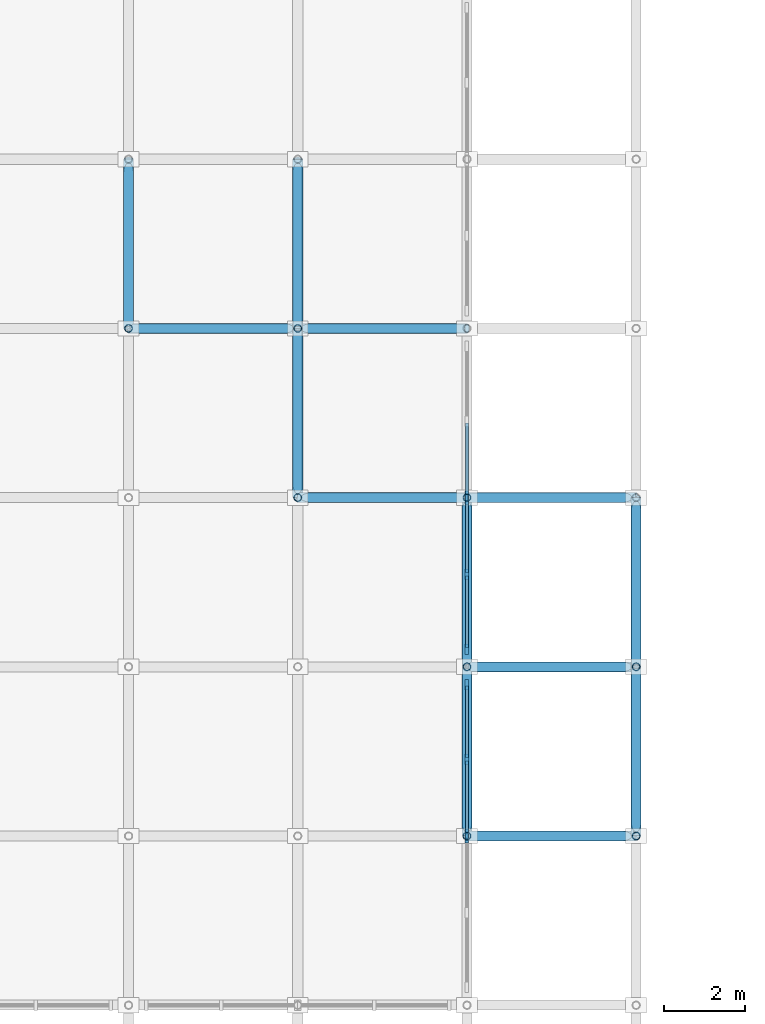
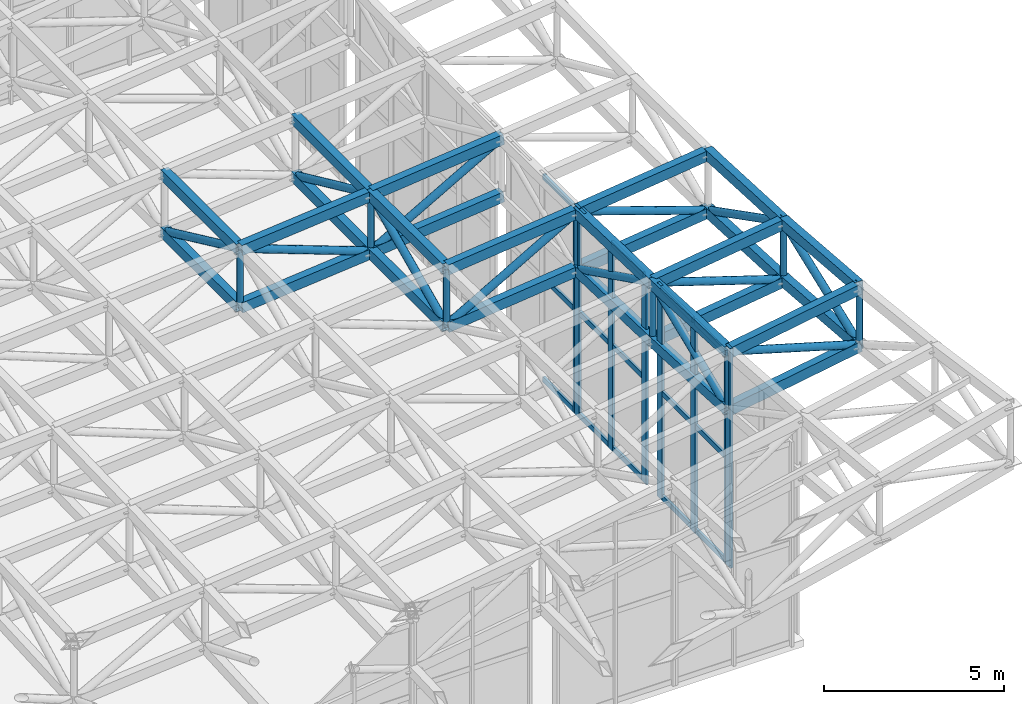
# One storey, part 49 of 111: 70 members, 4 elements without a shape of their own.
"""IFC4 building model written with IfcOpenShell, lengths in metres."""

from ifc_helpers import new_model, si_unit, direction, frame, origin, origin_2d, place, context, subcontext, project, spatial, rectangle, hollow_rectangle, hollow_circle, extrude, material, material_profile, profile_set, type_object, element, aggregate, save


model = new_model("IFC4")

# Units and contexts
model_context = context("Model", 3, precision=1e-05, world=origin(), true_north=direction((0.0, 1.0)))
body_context = subcontext(model_context, "Body", "Model", "MODEL_VIEW")
ifc_project = project(units=[si_unit("LENGTHUNIT", "METRE"), si_unit("AREAUNIT", "SQUARE_METRE"), si_unit("VOLUMEUNIT", "CUBIC_METRE"), si_unit("PLANEANGLEUNIT", "RADIAN"), si_unit("MASSUNIT", "GRAM", prefix="KILO")], contexts=[model_context])

# Site, building, storey
site_placement = place(None, origin())
site = spatial("IfcSite", under=ifc_project, at=site_placement, CompositionType="ELEMENT")
building_placement = place(site_placement, origin())
building = spatial("IfcBuilding", under=site, at=building_placement, Name="Cumbredor Promenade Congress Hotel", CompositionType="ELEMENT")
storey_placement = place(building_placement, frame((0.0, 0.0, 15.1201171875)))
storey = spatial("IfcBuildingStorey", under=building, at=storey_placement, Name="L04", CompositionType="ELEMENT", Elevation=15.1201171875)

# Curtain wall, member
ifc_material_1 = material(Name="Thermally broken anodized aluminium and low-E glass", Category="aluminium")
curtain_wall_type = type_object("IfcCurtainWallType", Name="Stepped Pavilion Clerestory Curtain Wall CW-06", PredefinedType="NOTDEFINED", material=ifc_material_1)
curtain_wall_1_placement = place(storey_placement, origin())
curtain_wall_1 = element("IfcCurtainWall", 1, at=curtain_wall_1_placement, inside=storey, type_object=curtain_wall_type, Name="Pre-Function and Breakout Meeting Forum E Glazed Clerestory 1", PredefinedType="NOTDEFINED")
ifc_material_2 = material(Name="Thermally broken anodized aluminium", Category="aluminium")
ifc_material_profile_1 = material_profile(ifc_material_2, rectangle(XDim=0.0849609375, YDim=0.260009765625, at=origin_2d()), Name="ALU MULLION CLERESTORY 85x260")
ifc_profile_set_1 = profile_set([ifc_material_profile_1], Name="Thermally broken anodized aluminium")
member_type_1 = type_object("IfcMemberType", Name="Curtain Wall Mullion ML-04", PredefinedType="MULLION", material=ifc_profile_set_1)
member_1_placement = place(storey_placement, frame((176.39990234375, 88.159912109375, -0.01806640625), z_axis=(0.0, 0.0, 1.0), x_axis=(1.0, 0.0, 0.0)))
member_1 = element("IfcMember", 2, at=member_1_placement, type_object=member_type_1, Name="Pre-Function and Breakout Meeting Forum E Glazed Clerestory 1 Mullion 3", PredefinedType="MULLION", context=body_context, shape_type="SweptSolid", body=[
    extrude(rectangle(XDim=0.0849609375, YDim=0.260009765625, at=origin_2d()), origin(), (0.0, 0.0, 1.0), 7.4609375),
])
aggregate(curtain_wall_1, [member_1])

# Curtain wall, members
curtain_wall_2_placement = place(storey_placement, origin())
curtain_wall_2 = element("IfcCurtainWall", 3, at=curtain_wall_2_placement, inside=storey, type_object=curtain_wall_type, Name="Pre-Function and Breakout Meeting Forum E Glazed Clerestory 2", PredefinedType="NOTDEFINED")
member_2_placement = place(storey_placement, frame((176.39990234375, 88.239990234375, -0.01806640625), z_axis=(0.0, 0.0, 1.0), x_axis=(1.0, 0.0, 0.0)))
member_2 = element("IfcMember", 4, at=member_2_placement, type_object=member_type_1, Name="Pre-Function and Breakout Meeting Forum E Glazed Clerestory 2 Mullion 1", PredefinedType="MULLION", context=body_context, shape_type="SweptSolid", body=[
    extrude(rectangle(XDim=0.0849609375, YDim=0.260009765625, at=origin_2d()), origin(), (0.0, 0.0, 1.0), 7.248046875),
])
member_3_placement = place(storey_placement, frame((176.39990234375, 90.10009765625, -0.01806640625), z_axis=(0.0, 0.0, 1.0), x_axis=(1.0, 0.0, 0.0)))
member_3 = element("IfcMember", 5, at=member_3_placement, type_object=member_type_1, Name="Pre-Function and Breakout Meeting Forum E Glazed Clerestory 2 Mullion 2", PredefinedType="MULLION", context=body_context, shape_type="SweptSolid", body=[
    extrude(rectangle(XDim=0.0849609375, YDim=0.260009765625, at=origin_2d()), origin(), (0.0, 0.0, 1.0), 7.248046875),
])
member_4_placement = place(storey_placement, frame((176.39990234375, 91.9599609375, -0.01806640625), z_axis=(0.0, 0.0, 1.0), x_axis=(1.0, 0.0, 0.0)))
member_4 = element("IfcMember", 6, at=member_4_placement, type_object=member_type_1, Name="Pre-Function and Breakout Meeting Forum E Glazed Clerestory 2 Mullion 3", PredefinedType="MULLION", context=body_context, shape_type="SweptSolid", body=[
    extrude(rectangle(XDim=0.0849609375, YDim=0.260009765625, at=origin_2d()), origin(), (0.0, 0.0, 1.0), 7.248046875),
])

curtain_wall_3_placement = place(storey_placement, origin())
curtain_wall_3 = element("IfcCurtainWall", 7, at=curtain_wall_3_placement, inside=storey, type_object=curtain_wall_type, Name="Pre-Function and Breakout Meeting Forum E Glazed Clerestory 3", PredefinedType="NOTDEFINED")
member_5_placement = place(storey_placement, frame((176.39990234375, 92.840087890625, -0.01806640625), z_axis=(0.0, 0.0, 1.0), x_axis=(1.0, 0.0, 0.0)))
member_5 = element("IfcMember", 8, at=member_5_placement, type_object=member_type_1, Name="Pre-Function and Breakout Meeting Forum E Glazed Clerestory 3 Mullion 1", PredefinedType="MULLION", context=body_context, shape_type="SweptSolid", body=[
    extrude(rectangle(XDim=0.0849609375, YDim=0.260009765625, at=origin_2d()), origin(), (0.0, 0.0, 1.0), 7.12060546875),
])
member_6_placement = place(storey_placement, frame((176.39990234375, 94.699951171875, -0.01806640625), z_axis=(0.0, 0.0, 1.0), x_axis=(1.0, 0.0, 0.0)))
member_6 = element("IfcMember", 9, at=member_6_placement, type_object=member_type_1, Name="Pre-Function and Breakout Meeting Forum E Glazed Clerestory 3 Mullion 2", PredefinedType="MULLION", context=body_context, shape_type="SweptSolid", body=[
    extrude(rectangle(XDim=0.0849609375, YDim=0.260009765625, at=origin_2d()), origin(), (0.0, 0.0, 1.0), 7.12060546875),
])
member_7_placement = place(storey_placement, frame((176.39990234375, 96.56005859375, -0.01806640625), z_axis=(0.0, 0.0, 1.0), x_axis=(1.0, 0.0, 0.0)))
member_7 = element("IfcMember", 10, at=member_7_placement, type_object=member_type_1, Name="Pre-Function and Breakout Meeting Forum E Glazed Clerestory 3 Mullion 3", PredefinedType="MULLION", context=body_context, shape_type="SweptSolid", body=[
    extrude(rectangle(XDim=0.0849609375, YDim=0.260009765625, at=origin_2d()), origin(), (0.0, 0.0, 1.0), 7.12060546875),
])

# Curtain wall, member
curtain_wall_4_placement = place(storey_placement, origin())
curtain_wall_4 = element("IfcCurtainWall", 11, at=curtain_wall_4_placement, inside=storey, type_object=curtain_wall_type, Name="Pre-Function and Breakout Meeting Forum E Glazed Clerestory 4", PredefinedType="NOTDEFINED")
member_8_placement = place(storey_placement, frame((176.39990234375, 96.639892578125, -0.01806640625), z_axis=(0.0, 0.0, 1.0), x_axis=(1.0, 0.0, 0.0)))
member_8 = element("IfcMember", 12, at=member_8_placement, type_object=member_type_1, Name="Pre-Function and Breakout Meeting Forum E Glazed Clerestory 4 Mullion 1", PredefinedType="MULLION", context=body_context, shape_type="SweptSolid", body=[
    extrude(rectangle(XDim=0.0849609375, YDim=0.260009765625, at=origin_2d()), origin(), (0.0, 0.0, 1.0), 7.078125),
])

# Member
ifc_material_profile_2 = material_profile(ifc_material_2, rectangle(XDim=0.080078125, YDim=0.179931640625, at=origin_2d()), Name="ALU TRANSOM 80x180")
ifc_profile_set_2 = profile_set([ifc_material_profile_2], Name="Thermally broken anodized aluminium")
member_type_2 = type_object("IfcMemberType", Name="Curtain Wall Transom TR-03", PredefinedType="USERDEFINED", material=ifc_profile_set_2)
member_9_placement = place(storey_placement, frame((176.39990234375, 88.282470703125, 0.079833984375), z_axis=(0.0, 1.0, 0.0), x_axis=(-1.0, 0.0, 0.0)))
member_9 = element("IfcMember", 13, at=member_9_placement, type_object=member_type_2, Name="Pre-Function and Breakout Meeting Forum E Glazed Clerestory 2 Transom 1.1", ObjectType="TRANSOM", PredefinedType="USERDEFINED", context=body_context, shape_type="SweptSolid", body=[
    extrude(rectangle(XDim=0.080078125, YDim=0.179931640625, at=origin_2d()), origin(), (0.0, 0.0, 1.0), 1.775146484375),
])

member_10_placement = place(storey_placement, frame((176.39990234375, 88.282470703125, 3.60986328125), z_axis=(0.0, 1.0, 0.0), x_axis=(-1.0, 0.0, 0.0)))
member_10 = element("IfcMember", 14, at=member_10_placement, type_object=member_type_2, Name="Pre-Function and Breakout Meeting Forum E Glazed Clerestory 2 Transom 1.2", ObjectType="TRANSOM", PredefinedType="USERDEFINED", context=body_context, shape_type="SweptSolid", body=[
    extrude(rectangle(XDim=0.080078125, YDim=0.179931640625, at=origin_2d()), origin(), (0.0, 0.0, 1.0), 1.775146484375),
])

member_11_placement = place(storey_placement, frame((176.39990234375, 88.282470703125, 7.1298828125), z_axis=(0.0, 1.0, 0.0), x_axis=(-1.0, 0.0, 0.0)))
member_11 = element("IfcMember", 15, at=member_11_placement, type_object=member_type_2, Name="Pre-Function and Breakout Meeting Forum E Glazed Clerestory 2 Transom 1.3", ObjectType="TRANSOM", PredefinedType="USERDEFINED", context=body_context, shape_type="SweptSolid", body=[
    extrude(rectangle(XDim=0.080078125, YDim=0.179931640625, at=origin_2d()), origin(), (0.0, 0.0, 1.0), 1.775146484375),
])

member_12_placement = place(storey_placement, frame((176.39990234375, 90.142578125, 0.079833984375), z_axis=(0.0, 1.0, 0.0), x_axis=(-1.0, 0.0, 0.0)))
member_12 = element("IfcMember", 16, at=member_12_placement, type_object=member_type_2, Name="Pre-Function and Breakout Meeting Forum E Glazed Clerestory 2 Transom 2.1", ObjectType="TRANSOM", PredefinedType="USERDEFINED", context=body_context, shape_type="SweptSolid", body=[
    extrude(rectangle(XDim=0.080078125, YDim=0.179931640625, at=origin_2d()), origin(), (0.0, 0.0, 1.0), 1.77490234375),
])

member_13_placement = place(storey_placement, frame((176.39990234375, 90.142578125, 3.60986328125), z_axis=(0.0, 1.0, 0.0), x_axis=(-1.0, 0.0, 0.0)))
member_13 = element("IfcMember", 17, at=member_13_placement, type_object=member_type_2, Name="Pre-Function and Breakout Meeting Forum E Glazed Clerestory 2 Transom 2.2", ObjectType="TRANSOM", PredefinedType="USERDEFINED", context=body_context, shape_type="SweptSolid", body=[
    extrude(rectangle(XDim=0.080078125, YDim=0.179931640625, at=origin_2d()), origin(), (0.0, 0.0, 1.0), 1.77490234375),
])

member_14_placement = place(storey_placement, frame((176.39990234375, 90.142578125, 7.1298828125), z_axis=(0.0, 1.0, 0.0), x_axis=(-1.0, 0.0, 0.0)))
member_14 = element("IfcMember", 18, at=member_14_placement, type_object=member_type_2, Name="Pre-Function and Breakout Meeting Forum E Glazed Clerestory 2 Transom 2.3", ObjectType="TRANSOM", PredefinedType="USERDEFINED", context=body_context, shape_type="SweptSolid", body=[
    extrude(rectangle(XDim=0.080078125, YDim=0.179931640625, at=origin_2d()), origin(), (0.0, 0.0, 1.0), 1.77490234375),
])

aggregate(curtain_wall_2, [member_2, member_3, member_4, member_9, member_10, member_11, member_12, member_13, member_14])

member_15_placement = place(storey_placement, frame((176.39990234375, 92.882568359375, 0.079833984375), z_axis=(0.0, 1.0, 0.0), x_axis=(-1.0, 0.0, 0.0)))
member_15 = element("IfcMember", 19, at=member_15_placement, type_object=member_type_2, Name="Pre-Function and Breakout Meeting Forum E Glazed Clerestory 3 Transom 1.1", ObjectType="TRANSOM", PredefinedType="USERDEFINED", context=body_context, shape_type="SweptSolid", body=[
    extrude(rectangle(XDim=0.080078125, YDim=0.179931640625, at=origin_2d()), origin(), (0.0, 0.0, 1.0), 1.77490234375),
])

member_16_placement = place(storey_placement, frame((176.39990234375, 92.882568359375, 3.539794921875), z_axis=(0.0, 1.0, 0.0), x_axis=(-1.0, 0.0, 0.0)))
member_16 = element("IfcMember", 20, at=member_16_placement, type_object=member_type_2, Name="Pre-Function and Breakout Meeting Forum E Glazed Clerestory 3 Transom 1.2", ObjectType="TRANSOM", PredefinedType="USERDEFINED", context=body_context, shape_type="SweptSolid", body=[
    extrude(rectangle(XDim=0.080078125, YDim=0.179931640625, at=origin_2d()), origin(), (0.0, 0.0, 1.0), 1.77490234375),
])

member_17_placement = place(storey_placement, frame((176.39990234375, 92.882568359375, 7.0), z_axis=(0.0, 1.0, 0.0), x_axis=(-1.0, 0.0, 0.0)))
member_17 = element("IfcMember", 21, at=member_17_placement, type_object=member_type_2, Name="Pre-Function and Breakout Meeting Forum E Glazed Clerestory 3 Transom 1.3", ObjectType="TRANSOM", PredefinedType="USERDEFINED", context=body_context, shape_type="SweptSolid", body=[
    extrude(rectangle(XDim=0.080078125, YDim=0.179931640625, at=origin_2d()), origin(), (0.0, 0.0, 1.0), 1.77490234375),
])

member_18_placement = place(storey_placement, frame((176.39990234375, 94.742431640625, 0.079833984375), z_axis=(0.0, 1.0, 0.0), x_axis=(-1.0, 0.0, 0.0)))
member_18 = element("IfcMember", 22, at=member_18_placement, type_object=member_type_2, Name="Pre-Function and Breakout Meeting Forum E Glazed Clerestory 3 Transom 2.1", ObjectType="TRANSOM", PredefinedType="USERDEFINED", context=body_context, shape_type="SweptSolid", body=[
    extrude(rectangle(XDim=0.080078125, YDim=0.179931640625, at=origin_2d()), origin(), (0.0, 0.0, 1.0), 1.775146484375),
])

member_19_placement = place(storey_placement, frame((176.39990234375, 94.742431640625, 3.539794921875), z_axis=(0.0, 1.0, 0.0), x_axis=(-1.0, 0.0, 0.0)))
member_19 = element("IfcMember", 23, at=member_19_placement, type_object=member_type_2, Name="Pre-Function and Breakout Meeting Forum E Glazed Clerestory 3 Transom 2.2", ObjectType="TRANSOM", PredefinedType="USERDEFINED", context=body_context, shape_type="SweptSolid", body=[
    extrude(rectangle(XDim=0.080078125, YDim=0.179931640625, at=origin_2d()), origin(), (0.0, 0.0, 1.0), 1.775146484375),
])

member_20_placement = place(storey_placement, frame((176.39990234375, 94.742431640625, 7.0), z_axis=(0.0, 1.0, 0.0), x_axis=(-1.0, 0.0, 0.0)))
member_20 = element("IfcMember", 24, at=member_20_placement, type_object=member_type_2, Name="Pre-Function and Breakout Meeting Forum E Glazed Clerestory 3 Transom 2.3", ObjectType="TRANSOM", PredefinedType="USERDEFINED", context=body_context, shape_type="SweptSolid", body=[
    extrude(rectangle(XDim=0.080078125, YDim=0.179931640625, at=origin_2d()), origin(), (0.0, 0.0, 1.0), 1.775146484375),
])

aggregate(curtain_wall_3, [member_5, member_6, member_7, member_15, member_16, member_17, member_18, member_19, member_20])

member_21_placement = place(storey_placement, frame((176.39990234375, 96.6826171875, 0.079833984375), z_axis=(0.0, 1.0, 0.0), x_axis=(-1.0, 0.0, 0.0)))
member_21 = element("IfcMember", 25, at=member_21_placement, type_object=member_type_2, Name="Pre-Function and Breakout Meeting Forum E Glazed Clerestory 4 Transom 1.1", ObjectType="TRANSOM", PredefinedType="USERDEFINED", context=body_context, shape_type="SweptSolid", body=[
    extrude(rectangle(XDim=0.080078125, YDim=0.179931640625, at=origin_2d()), origin(), (0.0, 0.0, 1.0), 1.77490234375),
])

member_22_placement = place(storey_placement, frame((176.39990234375, 96.6826171875, 3.519775390625), z_axis=(0.0, 1.0, 0.0), x_axis=(-1.0, 0.0, 0.0)))
member_22 = element("IfcMember", 26, at=member_22_placement, type_object=member_type_2, Name="Pre-Function and Breakout Meeting Forum E Glazed Clerestory 4 Transom 1.2", ObjectType="TRANSOM", PredefinedType="USERDEFINED", context=body_context, shape_type="SweptSolid", body=[
    extrude(rectangle(XDim=0.080078125, YDim=0.179931640625, at=origin_2d()), origin(), (0.0, 0.0, 1.0), 1.77490234375),
])

member_23_placement = place(storey_placement, frame((176.39990234375, 96.6826171875, 6.9599609375), z_axis=(0.0, 1.0, 0.0), x_axis=(-1.0, 0.0, 0.0)))
member_23 = element("IfcMember", 27, at=member_23_placement, type_object=member_type_2, Name="Pre-Function and Breakout Meeting Forum E Glazed Clerestory 4 Transom 1.3", ObjectType="TRANSOM", PredefinedType="USERDEFINED", context=body_context, shape_type="SweptSolid", body=[
    extrude(rectangle(XDim=0.080078125, YDim=0.179931640625, at=origin_2d()), origin(), (0.0, 0.0, 1.0), 1.77490234375),
])

aggregate(curtain_wall_4, [member_8, member_21, member_22, member_23])

# Members
ifc_material_3 = material(Name="Steel ASTM A500 Grade C", Category="steel")
ifc_material_profile_3 = material_profile(ifc_material_3, hollow_rectangle(XDim=0.25, YDim=0.35009765625, WallThickness=0.01611328125, at=origin_2d()), Name="HSS 350x250x16")
ifc_profile_set_3 = profile_set([ifc_material_profile_3], Name="Steel ASTM A500 Grade C")
member_type_3 = type_object("IfcMemberType", Name="Forum Roof Truss Chord", PredefinedType="CHORD", material=ifc_profile_set_3)
for number, where, z_axis, x_axis, name in (
    (28, (176.39990234375, 88.199951171875, 7.241943359375), (0.985937917486, 0.0, 0.16711200694), (0.0, 1.0, 0.0), "Pre-Function and Breakout Meeting Forum X Top Chord 22.3"),
    (29, (176.39990234375, 88.199951171875, 5.2919921875), (0.985947358293, 0.0, 0.167056297921), (0.0, 1.0, 0.0), "Pre-Function and Breakout Meeting Forum X Bottom Chord 22.3"),
):
    element("IfcMember", number, at=place(storey_placement, frame(where, z_axis=z_axis, x_axis=x_axis)), inside=storey, type_object=member_type_3, Name=name, PredefinedType="CHORD", context=body_context, shape_type="SweptSolid", body=[
        extrude(hollow_rectangle(XDim=0.25, YDim=0.35009765625, WallThickness=0.01611328125, at=origin_2d()), origin(), (0.0, 0.0, 1.0), 4.260009765625),
    ])
for number, where, z_axis, x_axis, name in (
    (30, (176.39990234375, 92.39990234375, 7.029052734375), (0.99038564581, 0.0, 0.138333916931), (0.0, 1.0, 0.0), "Pre-Function and Breakout Meeting Forum X Top Chord 22.4"),
    (31, (176.39990234375, 92.39990234375, 5.0791015625), (0.99038564581, 0.0, 0.138333916931), (0.0, 1.0, 0.0), "Pre-Function and Breakout Meeting Forum X Bottom Chord 22.4"),
):
    element("IfcMember", number, at=place(storey_placement, frame(where, z_axis=z_axis, x_axis=x_axis)), inside=storey, type_object=member_type_3, Name=name, PredefinedType="CHORD", context=body_context, shape_type="SweptSolid", body=[
        extrude(hollow_rectangle(XDim=0.25, YDim=0.35009765625, WallThickness=0.01611328125, at=origin_2d()), origin(), (0.0, 0.0, 1.0), 4.240966796875),
    ])
for number, where, z_axis, x_axis, name in (
    (32, (172.199951171875, 96.60009765625, 6.439697265625), (0.994012705385, 0.0, 0.109264548386), (0.0, 1.0, 0.0), "Pre-Function and Breakout Meeting Forum X Top Chord 21.5"),
    (33, (172.199951171875, 96.60009765625, 4.48974609375), (0.994012705385, 0.0, 0.109264548386), (0.0, 1.0, 0.0), "Pre-Function and Breakout Meeting Forum X Bottom Chord 21.5"),
):
    element("IfcMember", number, at=place(storey_placement, frame(where, z_axis=z_axis, x_axis=x_axis)), inside=storey, type_object=member_type_3, Name=name, PredefinedType="CHORD", context=body_context, shape_type="SweptSolid", body=[
        extrude(hollow_rectangle(XDim=0.25, YDim=0.35009765625, WallThickness=0.01611328125, at=origin_2d()), origin(), (0.0, 0.0, 1.0), 4.225341796875),
    ])
for number, where, z_axis, x_axis, name in (
    (34, (176.39990234375, 96.60009765625, 6.9013671875), (0.992667000964, 0.0, 0.120881037376), (0.0, 1.0, 0.0), "Pre-Function and Breakout Meeting Forum X Top Chord 22.5"),
    (35, (176.39990234375, 96.60009765625, 4.951416015625), (0.992667000964, 0.0, 0.120881037376), (0.0, 1.0, 0.0), "Pre-Function and Breakout Meeting Forum X Bottom Chord 22.5"),
):
    element("IfcMember", number, at=place(storey_placement, frame(where, z_axis=z_axis, x_axis=x_axis)), inside=storey, type_object=member_type_3, Name=name, PredefinedType="CHORD", context=body_context, shape_type="SweptSolid", body=[
        extrude(hollow_rectangle(XDim=0.25, YDim=0.35009765625, WallThickness=0.01611328125, at=origin_2d()), origin(), (0.0, 0.0, 1.0), 4.231201171875),
    ])
for number, where, z_axis, x_axis, name in (
    (36, (168.0, 100.800048828125, 6.026611328125), (0.995649172635, 0.0, 0.09318114096), (0.0, 1.0, 0.0), "Pre-Function and Breakout Meeting Forum X Top Chord 20.6"),
    (37, (168.0, 100.800048828125, 4.07666015625), (0.995649172635, 0.0, 0.09318114096), (0.0, 1.0, 0.0), "Pre-Function and Breakout Meeting Forum X Bottom Chord 20.6"),
):
    element("IfcMember", number, at=place(storey_placement, frame(where, z_axis=z_axis, x_axis=x_axis)), inside=storey, type_object=member_type_3, Name=name, PredefinedType="CHORD", context=body_context, shape_type="SweptSolid", body=[
        extrude(hollow_rectangle(XDim=0.25, YDim=0.35009765625, WallThickness=0.01611328125, at=origin_2d()), origin(), (0.0, 0.0, 1.0), 4.21826171875),
    ])
for number, where, z_axis, x_axis, name in (
    (38, (172.199951171875, 100.800048828125, 6.419677734375), (0.994576500093, 0.0, 0.10400762214), (0.0, 1.0, 0.0), "Pre-Function and Breakout Meeting Forum X Top Chord 21.6"),
    (39, (172.199951171875, 100.800048828125, 4.4697265625), (0.994576500093, 0.0, 0.10400762214), (0.0, 1.0, 0.0), "Pre-Function and Breakout Meeting Forum X Bottom Chord 21.6"),
):
    element("IfcMember", number, at=place(storey_placement, frame(where, z_axis=z_axis, x_axis=x_axis)), inside=storey, type_object=member_type_3, Name=name, PredefinedType="CHORD", context=body_context, shape_type="SweptSolid", body=[
        extrude(hollow_rectangle(XDim=0.25, YDim=0.35009765625, WallThickness=0.01611328125, at=origin_2d()), origin(), (0.0, 0.0, 1.0), 4.222900390625),
    ])
for number, where, z_axis, x_axis, name in (
    (40, (168.0, 100.800048828125, 6.026611328125), (0.0, 0.99999999831, -5.8129396e-05), (-1.0, 0.0, 0.0), "Pre-Function and Breakout Meeting Forum Y Top Chord 20.6"),
    (41, (168.0, 100.800048828125, 4.07666015625), (0.0, 0.99999999831, -5.8129396e-05), (-1.0, 0.0, 0.0), "Pre-Function and Breakout Meeting Forum Y Bottom Chord 20.6"),
    (42, (172.199951171875, 96.60009765625, 6.439697265625), (0.0, 0.999988639906, -0.004766556326), (-1.0, 0.0, 0.0), "Pre-Function and Breakout Meeting Forum Y Top Chord 21.5"),
    (43, (172.199951171875, 96.60009765625, 4.48974609375), (0.0, 0.999988639906, -0.004766556326), (-1.0, 0.0, 0.0), "Pre-Function and Breakout Meeting Forum Y Bottom Chord 21.5"),
    (44, (172.199951171875, 100.800048828125, 6.419677734375), (0.0, 0.999988639906, 0.004766556326), (-1.0, 0.0, 0.0), "Pre-Function and Breakout Meeting Forum Y Top Chord 21.6"),
    (45, (172.199951171875, 100.800048828125, 4.4697265625), (0.0, 0.999988639906, 0.004766556326), (-1.0, 0.0, 0.0), "Pre-Function and Breakout Meeting Forum Y Bottom Chord 21.6"),
):
    element("IfcMember", number, at=place(storey_placement, frame(where, z_axis=z_axis, x_axis=x_axis)), inside=storey, type_object=member_type_3, Name=name, PredefinedType="CHORD", context=body_context, shape_type="SweptSolid", body=[
        extrude(hollow_rectangle(XDim=0.25, YDim=0.35009765625, WallThickness=0.01611328125, at=origin_2d()), origin(), (0.0, 0.0, 1.0), 4.199951171875),
    ])
for number, where, z_axis, x_axis, name in (
    (46, (176.39990234375, 88.199951171875, 7.241943359375), (0.0, 0.998717791398, -0.050623839685), (-1.0, 0.0, 0.0), "Pre-Function and Breakout Meeting Forum Y Top Chord 22.3"),
    (47, (176.39990234375, 88.199951171875, 5.2919921875), (0.0, 0.998717791398, -0.050623839685), (-1.0, 0.0, 0.0), "Pre-Function and Breakout Meeting Forum Y Bottom Chord 22.3"),
):
    element("IfcMember", number, at=place(storey_placement, frame(where, z_axis=z_axis, x_axis=x_axis)), inside=storey, type_object=member_type_3, Name=name, PredefinedType="CHORD", context=body_context, shape_type="SweptSolid", body=[
        extrude(hollow_rectangle(XDim=0.25, YDim=0.35009765625, WallThickness=0.01611328125, at=origin_2d()), origin(), (0.0, 0.0, 1.0), 4.205322265625),
    ])
for number, where, z_axis, x_axis, name in (
    (48, (176.39990234375, 92.39990234375, 7.029052734375), (0.0, 0.999538242854, -0.030385869624), (-1.0, 0.0, 0.0), "Pre-Function and Breakout Meeting Forum Y Top Chord 22.4"),
    (49, (176.39990234375, 92.39990234375, 5.0791015625), (0.0, 0.999538242854, -0.030385869624), (-1.0, 0.0, 0.0), "Pre-Function and Breakout Meeting Forum Y Bottom Chord 22.4"),
):
    element("IfcMember", number, at=place(storey_placement, frame(where, z_axis=z_axis, x_axis=x_axis)), inside=storey, type_object=member_type_3, Name=name, PredefinedType="CHORD", context=body_context, shape_type="SweptSolid", body=[
        extrude(hollow_rectangle(XDim=0.25, YDim=0.35009765625, WallThickness=0.01611328125, at=origin_2d()), origin(), (0.0, 0.0, 1.0), 4.2021484375),
    ])
for number, where, z_axis, x_axis, name in (
    (50, (180.60009765625, 88.199951171875, 7.953857421875), (0.0, 0.996774803477, -0.080249555474), (-1.0, 0.0, 0.0), "Pre-Function and Breakout Meeting Forum Y Top Chord 23.3"),
    (51, (180.60009765625, 88.199951171875, 6.003662109375), (0.0, 0.996779436652, -0.0801919863), (-1.0, 0.0, 0.0), "Pre-Function and Breakout Meeting Forum Y Bottom Chord 23.3"),
):
    element("IfcMember", number, at=place(storey_placement, frame(where, z_axis=z_axis, x_axis=x_axis)), inside=storey, type_object=member_type_3, Name=name, PredefinedType="CHORD", context=body_context, shape_type="SweptSolid", body=[
        extrude(hollow_rectangle(XDim=0.25, YDim=0.35009765625, WallThickness=0.01611328125, at=origin_2d()), origin(), (0.0, 0.0, 1.0), 4.213623046875),
    ])
for number, where, z_axis, x_axis, name in (
    (52, (180.60009765625, 92.39990234375, 7.61572265625), (0.0, 0.998835460996, -0.048246469896), (-1.0, 0.0, 0.0), "Pre-Function and Breakout Meeting Forum Y Top Chord 23.4"),
    (53, (180.60009765625, 92.39990234375, 5.665771484375), (0.0, 0.998835460996, -0.048246469896), (-1.0, 0.0, 0.0), "Pre-Function and Breakout Meeting Forum Y Bottom Chord 23.4"),
):
    element("IfcMember", number, at=place(storey_placement, frame(where, z_axis=z_axis, x_axis=x_axis)), inside=storey, type_object=member_type_3, Name=name, PredefinedType="CHORD", context=body_context, shape_type="SweptSolid", body=[
        extrude(hollow_rectangle(XDim=0.25, YDim=0.35009765625, WallThickness=0.01611328125, at=origin_2d()), origin(), (0.0, 0.0, 1.0), 4.205078125),
    ])
ifc_material_profile_4 = material_profile(ifc_material_3, hollow_circle(Radius=0.122314453125, WallThickness=0.012451171875, at=origin_2d()), Name="CHS 244.5x12.5")
ifc_profile_set_4 = profile_set([ifc_material_profile_4], Name="Steel ASTM A500 Grade C")
member_type_4 = type_object("IfcMemberType", Name="Space Frame Web Diagonal D2", PredefinedType="BRACE", material=ifc_profile_set_4)
member_24_placement = place(storey_placement, frame((176.39990234375, 88.199951171875, 7.241943359375), z_axis=(0.959184193671, 0.0, -0.282782040822), x_axis=(0.0, 1.0, 0.0)))
element("IfcMember", 54, at=member_24_placement, inside=storey, type_object=member_type_4, Name="Pre-Function and Breakout Meeting Forum X Web Diagonal 22.3", PredefinedType="BRACE", context=body_context, shape_type="SweptSolid", body=[
    extrude(hollow_circle(Radius=0.122314453125, WallThickness=0.012451171875, at=origin_2d()), origin(), (0.0, 0.0, 1.0), 4.37890625),
])
member_25_placement = place(storey_placement, frame((176.39990234375, 92.39990234375, 7.029052734375), z_axis=(0.951152635401, 0.0, -0.30872101349), x_axis=(0.0, 1.0, 0.0)))
element("IfcMember", 55, at=member_25_placement, inside=storey, type_object=member_type_4, Name="Pre-Function and Breakout Meeting Forum X Web Diagonal 22.4", PredefinedType="BRACE", context=body_context, shape_type="SweptSolid", body=[
    extrude(hollow_circle(Radius=0.122314453125, WallThickness=0.012451171875, at=origin_2d()), origin(), (0.0, 0.0, 1.0), 4.416015625),
])
member_26_placement = place(storey_placement, frame((172.199951171875, 96.60009765625, 4.48974609375), z_axis=(0.867205127141, 0.0, 0.497951069343), x_axis=(0.0, 1.0, 0.0)))
element("IfcMember", 56, at=member_26_placement, inside=storey, type_object=member_type_4, Name="Pre-Function and Breakout Meeting Forum X Web Diagonal 21.5", PredefinedType="BRACE", context=body_context, shape_type="SweptSolid", body=[
    extrude(hollow_circle(Radius=0.122314453125, WallThickness=0.012451171875, at=origin_2d()), origin(), (0.0, 0.0, 1.0), 4.843017578125),
])
member_27_placement = place(storey_placement, frame((176.39990234375, 96.60009765625, 6.9013671875), z_axis=(0.94605579221, 0.0, -0.324003762364), x_axis=(0.0, 1.0, 0.0)))
element("IfcMember", 57, at=member_27_placement, inside=storey, type_object=member_type_4, Name="Pre-Function and Breakout Meeting Forum X Web Diagonal 22.5", PredefinedType="BRACE", context=body_context, shape_type="SweptSolid", body=[
    extrude(hollow_circle(Radius=0.122314453125, WallThickness=0.012451171875, at=origin_2d()), origin(), (0.0, 0.0, 1.0), 4.439697265625),
])
member_28_placement = place(storey_placement, frame((168.0, 100.800048828125, 6.026611328125), z_axis=(0.937650758936, 0.0, -0.347578846116), x_axis=(0.0, 1.0, 0.0)))
element("IfcMember", 58, at=member_28_placement, inside=storey, type_object=member_type_4, Name="Pre-Function and Breakout Meeting Forum X Web Diagonal 20.6", PredefinedType="BRACE", context=body_context, shape_type="SweptSolid", body=[
    extrude(hollow_circle(Radius=0.122314453125, WallThickness=0.012451171875, at=origin_2d()), origin(), (0.0, 0.0, 1.0), 4.479248046875),
])
member_29_placement = place(storey_placement, frame((172.199951171875, 100.800048828125, 4.4697265625), z_axis=(0.869205391529, 0.0, 0.494451198134), x_axis=(0.0, 1.0, 0.0)))
element("IfcMember", 59, at=member_29_placement, inside=storey, type_object=member_type_4, Name="Pre-Function and Breakout Meeting Forum X Web Diagonal 21.6", PredefinedType="BRACE", context=body_context, shape_type="SweptSolid", body=[
    extrude(hollow_circle(Radius=0.122314453125, WallThickness=0.012451171875, at=origin_2d()), origin(), (0.0, 0.0, 1.0), 4.83203125),
])
member_30_placement = place(storey_placement, frame((168.0, 100.800048828125, 6.026611328125), z_axis=(0.0, 0.90699098694, -0.421150032185), x_axis=(-1.0, 0.0, 0.0)))
element("IfcMember", 60, at=member_30_placement, inside=storey, type_object=member_type_4, Name="Pre-Function and Breakout Meeting Forum Y Web Diagonal 20.6", PredefinedType="BRACE", context=body_context, shape_type="SweptSolid", body=[
    extrude(hollow_circle(Radius=0.122314453125, WallThickness=0.012451171875, at=origin_2d()), origin(), (0.0, 0.0, 1.0), 4.630615234375),
])
for number, where, z_axis, x_axis, name in (
    (61, (172.199951171875, 96.60009765625, 4.48974609375), (0.0, 0.908658429434, 0.417540247903), (-1.0, 0.0, 0.0), "Pre-Function and Breakout Meeting Forum Y Web Diagonal 21.5"),
    (62, (172.199951171875, 100.800048828125, 6.419677734375), (0.0, 0.908658429434, -0.417540247903), (-1.0, 0.0, 0.0), "Pre-Function and Breakout Meeting Forum Y Web Diagonal 21.6"),
):
    element("IfcMember", number, at=place(storey_placement, frame(where, z_axis=z_axis, x_axis=x_axis)), inside=storey, type_object=member_type_4, Name=name, PredefinedType="BRACE", context=body_context, shape_type="SweptSolid", body=[
        extrude(hollow_circle(Radius=0.122314453125, WallThickness=0.012451171875, at=origin_2d()), origin(), (0.0, 0.0, 1.0), 4.6220703125),
    ])
member_31_placement = place(storey_placement, frame((176.39990234375, 88.199951171875, 5.2919921875), z_axis=(0.0, 0.924082914306, 0.382192055763), x_axis=(-1.0, 0.0, 0.0)))
element("IfcMember", 63, at=member_31_placement, inside=storey, type_object=member_type_4, Name="Pre-Function and Breakout Meeting Forum Y Web Diagonal 22.3", PredefinedType="BRACE", context=body_context, shape_type="SweptSolid", body=[
    extrude(hollow_circle(Radius=0.122314453125, WallThickness=0.012451171875, at=origin_2d()), origin(), (0.0, 0.0, 1.0), 4.544921875),
])
member_32_placement = place(storey_placement, frame((176.39990234375, 92.39990234375, 7.029052734375), z_axis=(0.0, 0.896336267945, -0.443374891898), x_axis=(-1.0, 0.0, 0.0)))
element("IfcMember", 64, at=member_32_placement, inside=storey, type_object=member_type_4, Name="Pre-Function and Breakout Meeting Forum Y Web Diagonal 22.4", PredefinedType="BRACE", context=body_context, shape_type="SweptSolid", body=[
    extrude(hollow_circle(Radius=0.122314453125, WallThickness=0.012451171875, at=origin_2d()), origin(), (0.0, 0.0, 1.0), 4.68603515625),
])
member_33_placement = place(storey_placement, frame((180.60009765625, 88.199951171875, 6.003662109375), z_axis=(0.0, 0.933591555924, 0.358338955052), x_axis=(-1.0, 0.0, 0.0)))
element("IfcMember", 65, at=member_33_placement, inside=storey, type_object=member_type_4, Name="Pre-Function and Breakout Meeting Forum Y Web Diagonal 23.3", PredefinedType="BRACE", context=body_context, shape_type="SweptSolid", body=[
    extrude(hollow_circle(Radius=0.122314453125, WallThickness=0.012451171875, at=origin_2d()), origin(), (0.0, 0.0, 1.0), 4.498779296875),
])
member_34_placement = place(storey_placement, frame((180.60009765625, 92.39990234375, 7.61572265625), z_axis=(0.0, 0.889913303945, -0.456129709032), x_axis=(-1.0, 0.0, 0.0)))
element("IfcMember", 66, at=member_34_placement, inside=storey, type_object=member_type_4, Name="Pre-Function and Breakout Meeting Forum Y Web Diagonal 23.4", PredefinedType="BRACE", context=body_context, shape_type="SweptSolid", body=[
    extrude(hollow_circle(Radius=0.122314453125, WallThickness=0.012451171875, at=origin_2d()), origin(), (0.0, 0.0, 1.0), 4.7197265625),
])
ifc_material_profile_5 = material_profile(ifc_material_3, hollow_circle(Radius=0.096923828125, WallThickness=0.010009765625, at=origin_2d()), Name="CHS 193.7x10")
ifc_profile_set_5 = profile_set([ifc_material_profile_5], Name="Steel ASTM A500 Grade C")
member_type_5 = type_object("IfcMemberType", Name="Space Frame Web Post P1", PredefinedType="BRACE", material=ifc_profile_set_5)
for number, where, z_axis, x_axis, name in (
    (67, (168.0, 100.800048828125, 4.07666015625), (0.0, 0.0, 1.0), (1.0, 0.0, 0.0), "Pre-Function and Breakout Meeting Forum Space Frame Web Post 20.6"),
    (68, (172.199951171875, 96.60009765625, 4.48974609375), (0.0, 0.0, 1.0), (1.0, 0.0, 0.0), "Pre-Function and Breakout Meeting Forum Space Frame Web Post 21.5"),
    (69, (172.199951171875, 100.800048828125, 4.4697265625), (0.0, 0.0, 1.0), (1.0, 0.0, 0.0), "Pre-Function and Breakout Meeting Forum Space Frame Web Post 21.6"),
    (70, (176.39990234375, 88.199951171875, 5.2919921875), (0.0, 0.0, 1.0), (1.0, 0.0, 0.0), "Pre-Function and Breakout Meeting Forum Space Frame Web Post 22.3"),
    (71, (176.39990234375, 92.39990234375, 5.0791015625), (0.0, 0.0, 1.0), (1.0, 0.0, 0.0), "Pre-Function and Breakout Meeting Forum Space Frame Web Post 22.4"),
    (72, (176.39990234375, 96.60009765625, 4.951416015625), (0.0, 0.0, 1.0), (1.0, 0.0, 0.0), "Pre-Function and Breakout Meeting Forum Space Frame Web Post 22.5"),
):
    element("IfcMember", number, at=place(storey_placement, frame(where, z_axis=z_axis, x_axis=x_axis)), inside=storey, type_object=member_type_5, Name=name, PredefinedType="BRACE", context=body_context, shape_type="SweptSolid", body=[
        extrude(hollow_circle(Radius=0.096923828125, WallThickness=0.010009765625, at=origin_2d()), origin(), (0.0, 0.0, 1.0), 1.949951171875),
    ])
member_35_placement = place(storey_placement, frame((180.60009765625, 88.199951171875, 6.003662109375), z_axis=(0.0, 0.0, 1.0), x_axis=(1.0, 0.0, 0.0)))
element("IfcMember", 73, at=member_35_placement, inside=storey, type_object=member_type_5, Name="Pre-Function and Breakout Meeting Forum Space Frame Web Post 23.3", PredefinedType="BRACE", context=body_context, shape_type="SweptSolid", body=[
    extrude(hollow_circle(Radius=0.096923828125, WallThickness=0.010009765625, at=origin_2d()), origin(), (0.0, 0.0, 1.0), 1.9501953125),
])
member_36_placement = place(storey_placement, frame((180.60009765625, 92.39990234375, 5.665771484375), z_axis=(0.0, 0.0, 1.0), x_axis=(1.0, 0.0, 0.0)))
element("IfcMember", 74, at=member_36_placement, inside=storey, type_object=member_type_5, Name="Pre-Function and Breakout Meeting Forum Space Frame Web Post 23.4", PredefinedType="BRACE", context=body_context, shape_type="SweptSolid", body=[
    extrude(hollow_circle(Radius=0.096923828125, WallThickness=0.010009765625, at=origin_2d()), origin(), (0.0, 0.0, 1.0), 1.949951171875),
])

save(model, "model.ifc")
